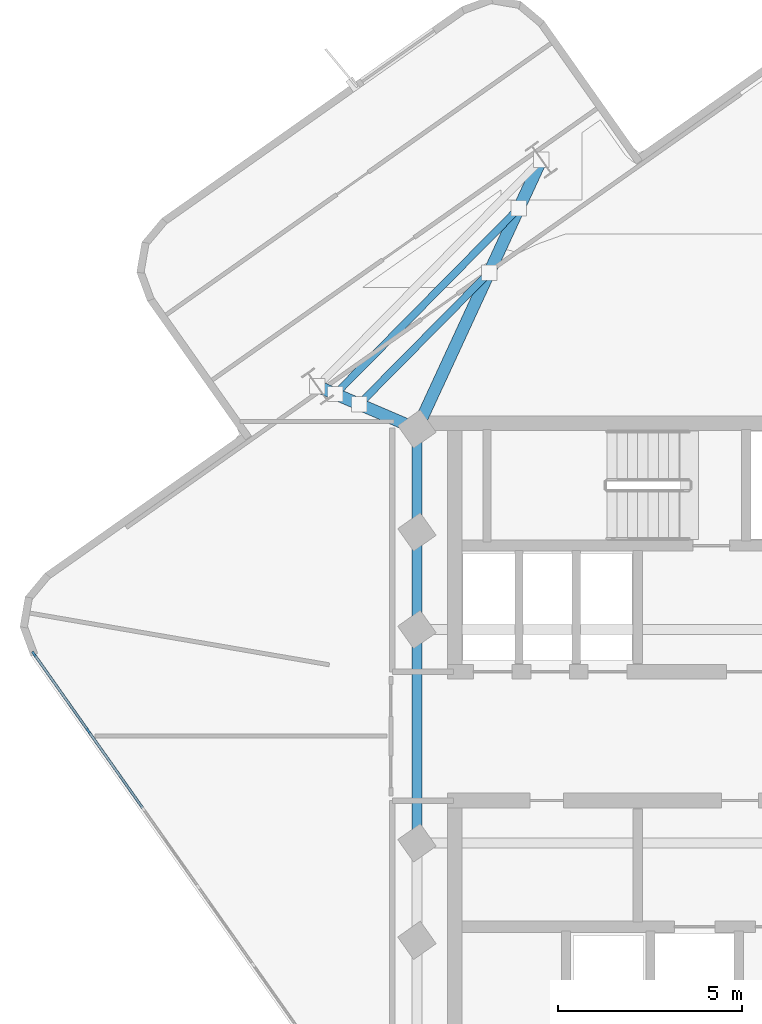
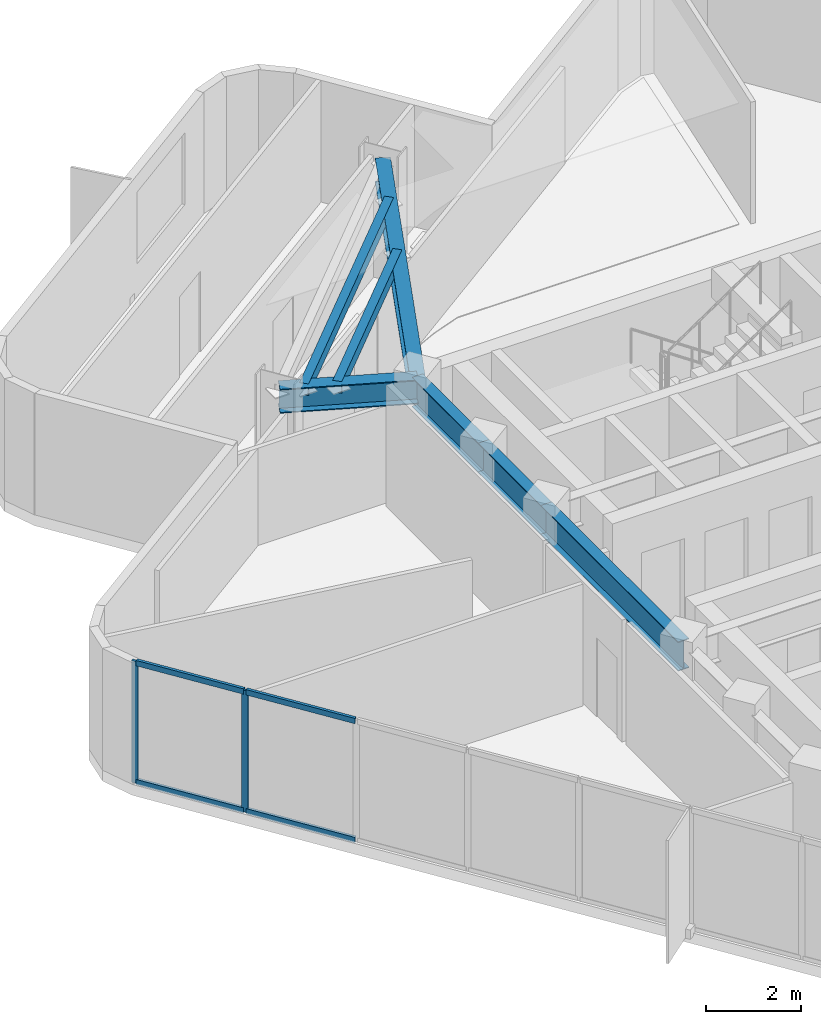
# One storey, part 3 of 9: 7 beams, 6 members, 1 element without a shape of its own.
"""IFC4 building model written with IfcOpenShell, lengths in metres."""

from ifc_helpers import new_model, si_unit, direction, frame, origin, origin_2d, place, context, subcontext, project, spatial, rectangle, hollow_rectangle, i_section, extrude, material, layer, layer_set, material_profile, profile_set, type_object, element, aggregate, save


model = new_model("IFC4")

# Units and contexts
model_context = context("Model", 3, precision=1e-05, world=origin(), true_north=direction((0.0, 1.0)))
body_context = subcontext(model_context, "Body", "Model", "MODEL_VIEW")
ifc_project = project(units=[si_unit("LENGTHUNIT", "METRE"), si_unit("AREAUNIT", "SQUARE_METRE"), si_unit("VOLUMEUNIT", "CUBIC_METRE"), si_unit("PLANEANGLEUNIT", "RADIAN"), si_unit("MASSUNIT", "GRAM", prefix="KILO")], contexts=[model_context])

# Site, building, storey
site_placement = place(None, origin())
site = spatial("IfcSite", under=ifc_project, at=site_placement, CompositionType="ELEMENT")
building_placement = place(site_placement, origin())
building = spatial("IfcBuilding", under=site, at=building_placement, Name="Solmarez Civic Tower", CompositionType="ELEMENT")
storey_placement = place(building_placement, frame((0.0, 0.0, 222.300048828125)))
storey = spatial("IfcBuildingStorey", under=building, at=storey_placement, Name="L59", CompositionType="ELEMENT", Elevation=222.300048828125)

# Beams
ifc_material_1 = material(Name="Steel S355", Category="steel")
ifc_material_profile_1 = material_profile(ifc_material_1, hollow_rectangle(XDim=0.199951171875, YDim=0.300048828125, WallThickness=0.011962890625, at=origin_2d()), Name="HSS300X200X12")
ifc_profile_set_1 = profile_set([ifc_material_profile_1], Name="Steel S355")
beam_type_1 = type_object("IfcBeamType", Name="BM-JS-HSS300X200", PredefinedType="JOIST", material=ifc_profile_set_1)
beam_1_placement = place(storey_placement, frame((-6.887939453125, 12.595947265625, 2.989990234375), z_axis=(-0.702816380081, -0.711371306625, 0.0), x_axis=(0.711371306625, -0.702816380081, 0.0)))
element("IfcBeam", 1, at=beam_1_placement, inside=storey, type_object=beam_type_1, Name="L59 Secondary Floor Joist JS-L59-NA-M11", PredefinedType="JOIST", context=body_context, shape_type="SweptSolid", body=[
    extrude(hollow_rectangle(XDim=0.199951171875, YDim=0.300048828125, WallThickness=0.011962890625, at=origin_2d()), origin(), (0.0, 0.0, 1.0), 5.022705078125),
])
beam_2_placement = place(storey_placement, frame((-6.076904296875, 14.35302734375, 2.989990234375), z_axis=(-0.702726827997, -0.711459770622, 0.0), x_axis=(0.711459770622, -0.702726827997, 0.0)))
element("IfcBeam", 2, at=beam_2_placement, inside=storey, type_object=beam_type_1, Name="L59 Secondary Floor Joist JS-L59-NA-M12", PredefinedType="JOIST", context=body_context, shape_type="SweptSolid", body=[
    extrude(hollow_rectangle(XDim=0.199951171875, YDim=0.300048828125, WallThickness=0.011962890625, at=origin_2d()), origin(), (0.0, 0.0, 1.0), 7.100830078125),
])
ifc_material_profile_2 = material_profile(ifc_material_1, i_section(OverallWidth=0.327880859375, OverallDepth=0.6220703125, WebThickness=0.015380859375, FlangeThickness=0.0244140625, at=origin_2d()), Name="W24X131")
ifc_profile_set_2 = profile_set([ifc_material_profile_2], Name="Steel S355")
beam_type_2 = type_object("IfcBeamType", Name="BM-PR-W24X131", PredefinedType="BEAM", material=ifc_profile_set_2)
beam_3_placement = place(storey_placement, frame((-8.85009765625, 8.35009765625, 2.828857421875), z_axis=(0.419390280967, 0.907806032273, 0.0), x_axis=(-0.907806032273, 0.419390280967, 0.0)))
element("IfcBeam", 3, at=beam_3_placement, inside=storey, type_object=beam_type_2, Name="L59 Primary Floor Beam BM-L59-NA-R1A", PredefinedType="BEAM", context=body_context, shape_type="SweptSolid", body=[
    extrude(i_section(OverallWidth=0.327880859375, OverallDepth=0.6220703125, WebThickness=0.015380859375, FlangeThickness=0.0244140625, at=origin_2d()), origin(), (0.0, 0.0, 1.0), 8.064208984375),
])
beam_4_placement = place(storey_placement, frame((-8.85009765625, 8.35009765625, 2.828857421875), z_axis=(-0.919007627325, 0.394239750557, 0.0), x_axis=(-0.394239750557, -0.919007627325, 0.0)))
element("IfcBeam", 4, at=beam_4_placement, inside=storey, type_object=beam_type_2, Name="L59 Primary Floor Beam BM-L59-NA-R1B", PredefinedType="BEAM", context=body_context, shape_type="SweptSolid", body=[
    extrude(i_section(OverallWidth=0.327880859375, OverallDepth=0.6220703125, WebThickness=0.015380859375, FlangeThickness=0.0244140625, at=origin_2d()), origin(), (0.0, 0.0, 1.0), 2.942138671875),
])
ifc_material_profile_3 = material_profile(ifc_material_1, i_section(OverallWidth=0.26708984375, OverallDepth=0.761962890625, WebThickness=0.014404296875, FlangeThickness=0.021484375, at=origin_2d()), Name="W30X116")
ifc_profile_set_3 = profile_set([ifc_material_profile_3], Name="Steel S355")
beam_type_3 = type_object("IfcBeamType", Name="BM-PR-W30X116", PredefinedType="BEAM", material=ifc_profile_set_3)
beam_5_placement = place(storey_placement, frame((-8.85009765625, -2.89990234375, 2.759033203125), z_axis=(0.0, 1.0, 0.0), x_axis=(-1.0, 0.0, 0.0)))
element("IfcBeam", 5, at=beam_5_placement, inside=storey, type_object=beam_type_3, Name="L59 Primary Floor Beam BM-L59-HC2-HC3", PredefinedType="BEAM", context=body_context, shape_type="SweptSolid", body=[
    extrude(i_section(OverallWidth=0.26708984375, OverallDepth=0.761962890625, WebThickness=0.014404296875, FlangeThickness=0.021484375, at=origin_2d()), origin(), (0.0, 0.0, 1.0), 5.7998046875),
])
beam_6_placement = place(storey_placement, frame((-8.85009765625, 2.89990234375, 2.759033203125), z_axis=(0.0, 1.0, 0.0), x_axis=(-1.0, 0.0, 0.0)))
element("IfcBeam", 6, at=beam_6_placement, inside=storey, type_object=beam_type_3, Name="L59 Primary Floor Beam BM-L59-HC3-HC4", PredefinedType="BEAM", context=body_context, shape_type="SweptSolid", body=[
    extrude(i_section(OverallWidth=0.26708984375, OverallDepth=0.761962890625, WebThickness=0.014404296875, FlangeThickness=0.021484375, at=origin_2d()), origin(), (0.0, 0.0, 1.0), 2.650146484375),
])
beam_7_placement = place(storey_placement, frame((-8.85009765625, 5.550048828125, 2.759033203125), z_axis=(0.0, 1.0, 0.0), x_axis=(-1.0, 0.0, 0.0)))
element("IfcBeam", 7, at=beam_7_placement, inside=storey, type_object=beam_type_3, Name="L59 Primary Floor Beam BM-L59-HC4-HC9", PredefinedType="BEAM", context=body_context, shape_type="SweptSolid", body=[
    extrude(i_section(OverallWidth=0.26708984375, OverallDepth=0.761962890625, WebThickness=0.014404296875, FlangeThickness=0.021484375, at=origin_2d()), origin(), (0.0, 0.0, 1.0), 2.800048828125),
])

# Curtain wall, members
ifc_material_2 = material(Name="Bronze Anodised Aluminium EN AW-6063 T6", Category="aluminium")
ifc_layer = layer(ifc_material_2, 0.1650390625)
ifc_layer_set = layer_set([ifc_layer], Name="Bronze Anodised Aluminium EN AW-6063 T6")
curtain_wall_type = type_object("IfcCurtainWallType", Name="CW-SYS-4", PredefinedType="NOTDEFINED", material=ifc_layer_set)
curtain_wall_placement = place(storey_placement, origin())
curtain_wall = element("IfcCurtainWall", 8, at=curtain_wall_placement, inside=storey, type_object=curtain_wall_type, Name="L59 Stick-Built Curtain Wall 2", PredefinedType="NOTDEFINED")
ifc_material_profile_4 = material_profile(ifc_material_2, rectangle(XDim=0.06005859375, YDim=0.14990234375, at=origin_2d()), Name="CWM-60X150")
ifc_profile_set_4 = profile_set([ifc_material_profile_4], Name="Bronze Anodised Aluminium EN AW-6063 T6")
member_type_1 = type_object("IfcMemberType", Name="CWM-TYPE-4", PredefinedType="MULLION", material=ifc_profile_set_4)
member_1_placement = place(storey_placement, frame((-17.784912109375, 0.143798828125, 0.0), z_axis=(0.0, 0.0, 1.0), x_axis=(-0.817162391141, -0.576407517737, 0.0)))
member_1 = element("IfcMember", 9, at=member_1_placement, type_object=member_type_1, Name="CWS4 mullion 10", PredefinedType="MULLION", context=body_context, shape_type="SweptSolid", body=[
    extrude(rectangle(XDim=0.06005859375, YDim=0.14990234375, at=origin_2d()), origin(), (0.0, 0.0, 1.0), 3.139892578125),
])
member_2_placement = place(storey_placement, frame((-19.26171875, 2.237548828125, 0.0), z_axis=(0.0, 0.0, 1.0), x_axis=(-0.817162391141, -0.576407517737, 0.0)))
member_2 = element("IfcMember", 10, at=member_2_placement, type_object=member_type_1, Name="CWS4 mullion 11", PredefinedType="MULLION", context=body_context, shape_type="SweptSolid", body=[
    extrude(rectangle(XDim=0.06005859375, YDim=0.14990234375, at=origin_2d()), origin(), (0.0, 0.0, 1.0), 3.139892578125),
])
ifc_material_profile_5 = material_profile(ifc_material_2, rectangle(XDim=0.070068359375, YDim=0.139892578125, at=origin_2d()), Name="CWT-70X140")
ifc_profile_set_5 = profile_set([ifc_material_profile_5], Name="Bronze Anodised Aluminium EN AW-6063 T6")
member_type_2 = type_object("IfcMemberType", Name="CWT-TYPE-1", PredefinedType="USERDEFINED", material=ifc_profile_set_5)
member_3_placement = place(storey_placement, frame((-16.307861328125, -1.9501953125, 0.034912109375), z_axis=(-0.576421998841, 0.817152176313, 0.0), x_axis=(-0.817152176313, -0.576421998841, 0.0)))
member_3 = element("IfcMember", 11, at=member_3_placement, type_object=member_type_2, Name="CWS4 transom 9.1", ObjectType="TRANSOM", PredefinedType="USERDEFINED", context=body_context, shape_type="SweptSolid", body=[
    extrude(rectangle(XDim=0.070068359375, YDim=0.139892578125, at=origin_2d()), origin(), (0.0, 0.0, 1.0), 2.532470703125),
])
member_4_placement = place(storey_placement, frame((-16.307861328125, -1.9501953125, 3.10498046875), z_axis=(-0.576421998841, 0.817152176313, 0.0), x_axis=(-0.817152176313, -0.576421998841, 0.0)))
member_4 = element("IfcMember", 12, at=member_4_placement, type_object=member_type_2, Name="CWS4 transom 9.2", ObjectType="TRANSOM", PredefinedType="USERDEFINED", context=body_context, shape_type="SweptSolid", body=[
    extrude(rectangle(XDim=0.070068359375, YDim=0.139892578125, at=origin_2d()), origin(), (0.0, 0.0, 1.0), 2.532470703125),
])
member_5_placement = place(storey_placement, frame((-17.802001953125, 0.168212890625, 0.034912109375), z_axis=(-0.576438009652, 0.817140881996, 0.0), x_axis=(-0.817140881996, -0.576438009652, 0.0)))
member_5 = element("IfcMember", 13, at=member_5_placement, type_object=member_type_2, Name="CWS4 transom 10.1", ObjectType="TRANSOM", PredefinedType="USERDEFINED", context=body_context, shape_type="SweptSolid", body=[
    extrude(rectangle(XDim=0.070068359375, YDim=0.139892578125, at=origin_2d()), origin(), (0.0, 0.0, 1.0), 2.502197265625),
])
member_6_placement = place(storey_placement, frame((-17.802001953125, 0.168212890625, 3.10498046875), z_axis=(-0.576438009652, 0.817140881996, 0.0), x_axis=(-0.817140881996, -0.576438009652, 0.0)))
member_6 = element("IfcMember", 14, at=member_6_placement, type_object=member_type_2, Name="CWS4 transom 10.2", ObjectType="TRANSOM", PredefinedType="USERDEFINED", context=body_context, shape_type="SweptSolid", body=[
    extrude(rectangle(XDim=0.070068359375, YDim=0.139892578125, at=origin_2d()), origin(), (0.0, 0.0, 1.0), 2.502197265625),
])
aggregate(curtain_wall, [member_1, member_2, member_3, member_4, member_5, member_6])

save(model, "model.ifc")
